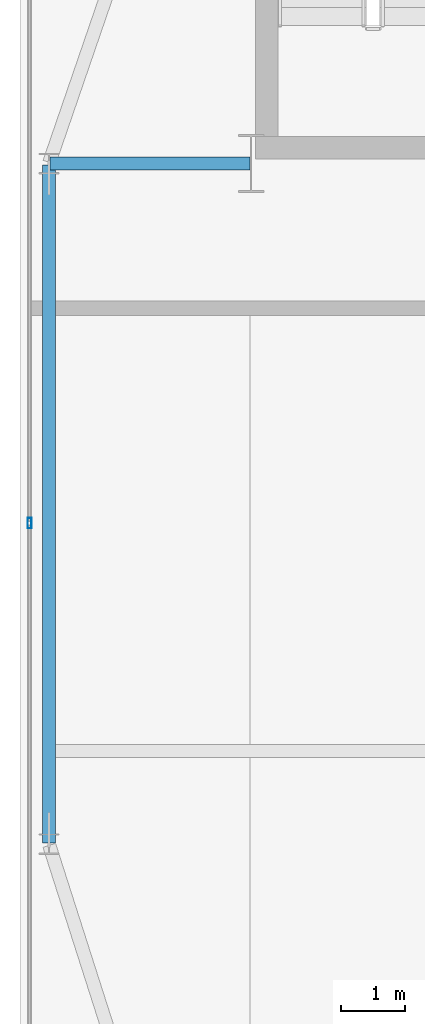
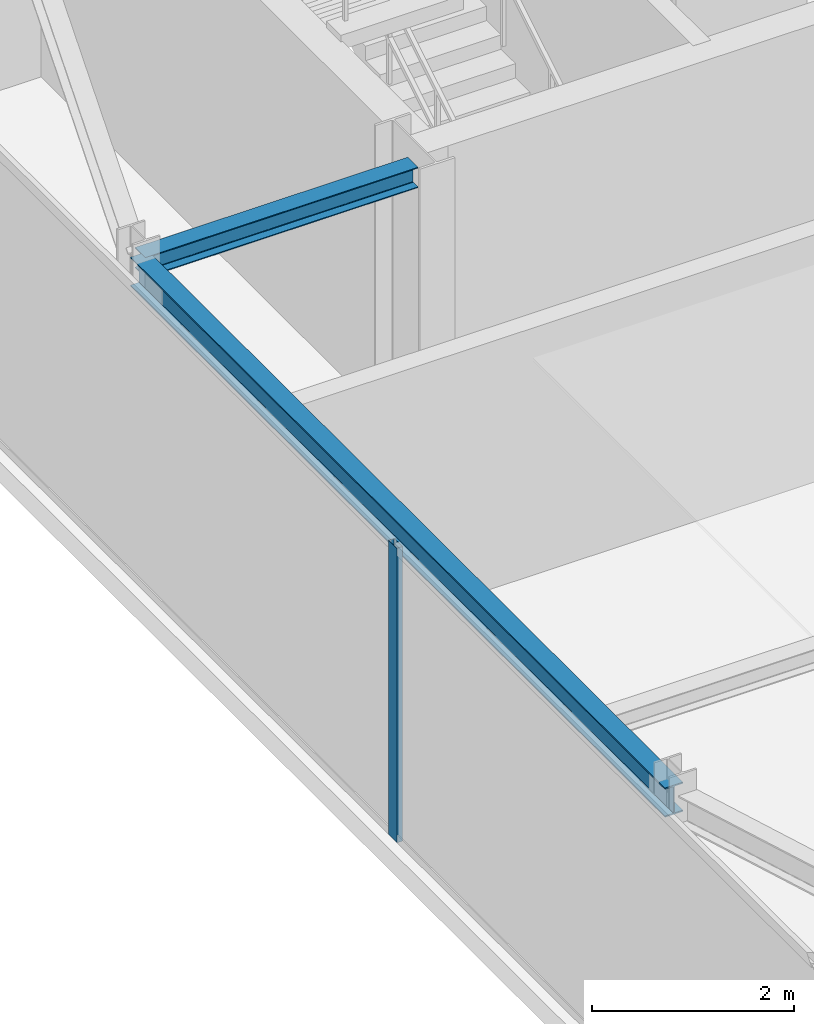
# One storey, part 10 of 24: 2 beams, 1 member, 1 element without a shape of its own.
"""IFC4 building model written with IfcOpenShell, lengths in metres."""

from ifc_helpers import new_model, si_unit, direction, frame, origin, origin_2d, place, context, subcontext, project, spatial, hollow_rectangle, i_section, extrude, source, transform, mapped, material, layer, layer_set, material_profile, profile_set, type_object, type_shapes, element, aggregate, save


model = new_model("IFC4")

# Units and contexts
model_context = context("Model", 3, precision=1e-05, world=origin(), true_north=direction((0.0, 1.0)))
body_context = subcontext(model_context, "Body", "Model", "MODEL_VIEW")
ifc_project = project(units=[si_unit("LENGTHUNIT", "METRE"), si_unit("AREAUNIT", "SQUARE_METRE"), si_unit("VOLUMEUNIT", "CUBIC_METRE"), si_unit("PLANEANGLEUNIT", "RADIAN"), si_unit("MASSUNIT", "GRAM", prefix="KILO")], contexts=[model_context])

# Site, building, storey
site_placement = place(None, origin())
site = spatial("IfcSite", under=ifc_project, at=site_placement, CompositionType="ELEMENT")
building_placement = place(site_placement, origin())
building = spatial("IfcBuilding", under=site, at=building_placement, Name="Varnel Quay Broadcast Tower", CompositionType="ELEMENT")
storey_placement = place(building_placement, frame((0.0, 0.0, 285.0)))
storey = spatial("IfcBuildingStorey", under=building, at=storey_placement, Name="L71", CompositionType="ELEMENT", Elevation=285.0)

# Beams
ifc_material_1 = material(Name="Structural Steel CSA G40.21 350W", Category="steel")
ifc_material_profile_1 = material_profile(ifc_material_1, i_section(OverallWidth=0.205078125, OverallDepth=0.35400390625, WebThickness=0.009521484375, FlangeThickness=0.016845703125, FilletRadius=0.012939453125, at=origin_2d()), Name="W360X79")
ifc_profile_set_1 = profile_set([ifc_material_profile_1], Name="Structural Steel CSA G40.21 350W")
beam_type_1 = type_object("IfcBeamType", Name="Beam_W360X79", PredefinedType="SPANDREL", material=ifc_profile_set_1)
shared_shape_1 = source(origin(), body_context, "Body", "SweptSolid", [
    extrude(i_section(OverallWidth=0.205078125, OverallDepth=0.35400390625, WebThickness=0.009521484375, FlangeThickness=0.016845703125, FilletRadius=0.012939453125, at=origin_2d()), origin(), (0.0, 0.0, 1.0), 10.56005859375),
])
type_shapes(beam_type_1, [shared_shape_1])
beam_1_placement = place(storey_placement, frame((12.449951171875, 25.02001953125, 3.373046875), z_axis=(0.0, 1.0, 0.0), x_axis=(-1.0, 0.0, 0.0)))
element("IfcBeam", 1, at=beam_1_placement, inside=storey, type_object=beam_type_1, Name="L71 West Spandrel TC-W1-TC-W2", PredefinedType="SPANDREL", context=body_context, shape_type="MappedRepresentation", body=[
    mapped(shared_shape_1, transform((0.0, 0.0, 0.0), x_axis=(1.0, 0.0, 0.0), y_axis=(0.0, 1.0, 0.0), z_axis=(0.0, 0.0, 1.0), scale=1.0)),
])
ifc_material_profile_2 = material_profile(ifc_material_1, i_section(OverallWidth=0.201904296875, OverallDepth=0.2470703125, WebThickness=0.00732421875, FlangeThickness=0.010986328125, FilletRadius=0.010986328125, at=origin_2d()), Name="W250X49")
ifc_profile_set_2 = profile_set([ifc_material_profile_2], Name="Structural Steel CSA G40.21 350W")
beam_type_2 = type_object("IfcBeamType", Name="Beam_W250X49", PredefinedType="JOIST", material=ifc_profile_set_2)
shared_shape_2 = source(origin(), body_context, "Body", "SweptSolid", [
    extrude(i_section(OverallWidth=0.201904296875, OverallDepth=0.2470703125, WebThickness=0.00732421875, FlangeThickness=0.010986328125, FilletRadius=0.010986328125, at=origin_2d()), origin(), (0.0, 0.0, 1.0), 3.110107421875),
])
type_shapes(beam_type_2, [shared_shape_2])
beam_2_placement = place(storey_placement, frame((12.469970703125, 35.60009765625, 3.426513671875), z_axis=(1.0, 0.0, 0.0), x_axis=(0.0, 1.0, 0.0)))
element("IfcBeam", 2, at=beam_2_placement, inside=storey, type_object=beam_type_2, Name="L71 West Core Tie Joist", PredefinedType="JOIST", context=body_context, shape_type="MappedRepresentation", body=[
    mapped(shared_shape_2, transform((0.0, 0.0, 0.0), x_axis=(1.0, 0.0, 0.0), y_axis=(0.0, 1.0, 0.0), z_axis=(0.0, 0.0, 1.0), scale=1.0)),
])

# Curtain wall, member
ifc_material_2 = material(Name="Anodised Bronze Aluminium 6063-T6", Category="aluminium")
ifc_layer = layer(ifc_material_2, 0.18994140625, Name="Anodised Bronze Aluminium 6063-T6")
ifc_layer_set = layer_set([ifc_layer], Name="Anodised Bronze Aluminium 6063-T6")
curtain_wall_type = type_object("IfcCurtainWallType", Name="CW_UpperTower", PredefinedType="NOTDEFINED", material=ifc_layer_set)
curtain_wall_placement = place(storey_placement, origin())
curtain_wall = element("IfcCurtainWall", 3, at=curtain_wall_placement, inside=storey, type_object=curtain_wall_type, Name="L71 West Unitised Curtain Wall", PredefinedType="NOTDEFINED")
ifc_material_profile_3 = material_profile(ifc_material_2, hollow_rectangle(XDim=0.06494140625, YDim=0.1650390625, WallThickness=0.00341796875, at=origin_2d()), Name="ALU65X165X3.5")
ifc_profile_set_3 = profile_set([ifc_material_profile_3], Name="Anodised Bronze Aluminium 6063-T6")
member_type = type_object("IfcMemberType", Name="Mull_CWS-03", PredefinedType="MULLION", material=ifc_profile_set_3)
shared_shape_3 = source(origin(), body_context, "Body", "SweptSolid", [
    extrude(hollow_rectangle(XDim=0.06494140625, YDim=0.1650390625, WallThickness=0.00341796875, at=origin_2d()), origin(), (0.0, 0.0, 1.0), 3.550048828125),
])
type_shapes(member_type, [shared_shape_3])
member_placement = place(storey_placement, frame((12.14990234375, 30.0, 0.0), z_axis=(0.0, 0.0, 1.0), x_axis=(-1.0, 0.0, 0.0)))
member = element("IfcMember", 4, at=member_placement, type_object=member_type, Name="CWS-03 mullion 2", PredefinedType="MULLION", context=body_context, shape_type="MappedRepresentation", body=[
    mapped(shared_shape_3, transform((0.0, 0.0, 0.0), x_axis=(1.0, 0.0, 0.0), y_axis=(0.0, 1.0, 0.0), z_axis=(0.0, 0.0, 1.0), scale=1.0)),
])
aggregate(curtain_wall, [member])

save(model, "model.ifc")
